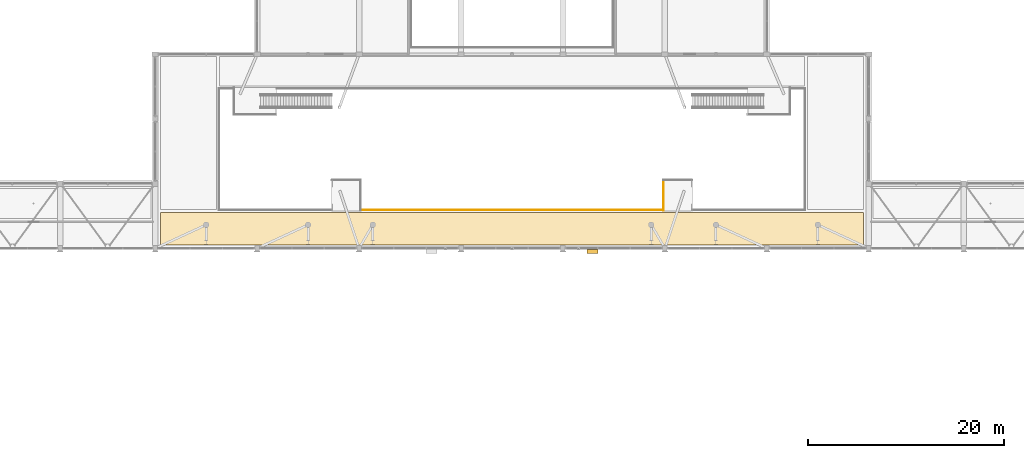
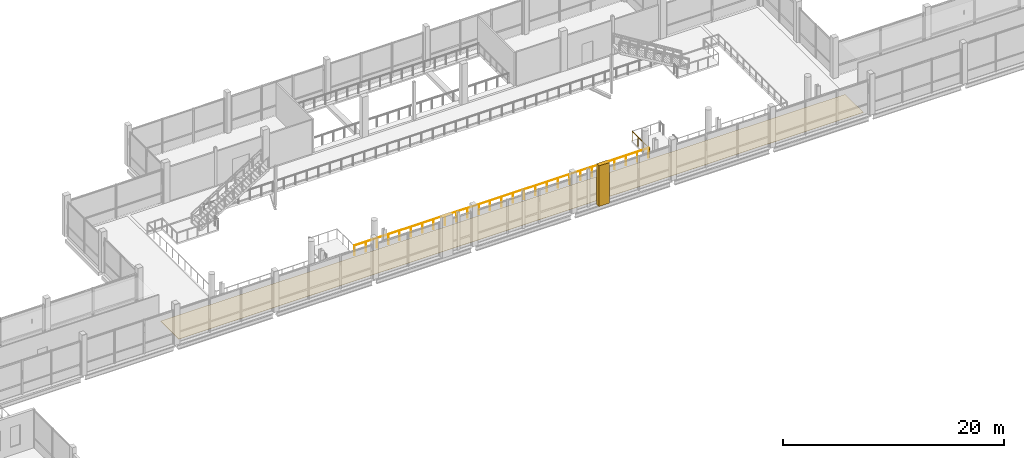
# One storey, part 89 of 95: 2 coverings, 2 railings.
"""IFC4 building model written with IfcOpenShell, lengths in metres."""

from ifc_helpers import new_model, si_unit, derived_unit, direction, frame, origin, origin_2d, place, context, subcontext, project, spatial, polyline, rectangle, circle, outline, extrude, material, layer, layer_set, type_object, element, save


model = new_model("IFC4")

# Units and contexts
model_context = context("Model", 3, precision=1e-05, world=origin(), true_north=direction((0.0, 1.0)))
body_context = subcontext(model_context, "Body", "Model", "MODEL_VIEW")
ifc_project = project(units=[si_unit("LENGTHUNIT", "METRE"), si_unit("AREAUNIT", "SQUARE_METRE"), si_unit("VOLUMEUNIT", "CUBIC_METRE"), si_unit("PLANEANGLEUNIT", "RADIAN"), si_unit("MASSUNIT", "GRAM", prefix="KILO"), derived_unit("THERMALTRANSMITTANCEUNIT", [(si_unit("POWERUNIT", "WATT"), 1), (si_unit("LENGTHUNIT", "METRE"), -2), (si_unit("THERMODYNAMICTEMPERATUREUNIT", "KELVIN"), -1)])], contexts=[model_context])

# Site, building, storey
site_placement = place(None, origin())
site = spatial("IfcSite", under=ifc_project, at=site_placement, CompositionType="ELEMENT")
building_placement = place(site_placement, origin())
building = spatial("IfcBuilding", under=site, at=building_placement, Name="Braskholm Square Health Centre", CompositionType="ELEMENT")
storey_placement = place(building_placement, frame((0.0, 0.0, 4.800048828125)))
storey = spatial("IfcBuildingStorey", under=building, at=storey_placement, Name="L02", CompositionType="ELEMENT", Elevation=4.800048828125)

# Railings
ifc_material_1 = material(Name="Dark patinated chevron architectural bronze", Category="aluminium")
railing_type = type_object("IfcRailingType", Name="BronzeChevronGuardrail1100", PredefinedType="GUARDRAIL", material=ifc_material_1)
railing_1_placement = place(storey_placement, frame((99.449951171875, 94.14990234375, 0.0)))
element("IfcRailing", 1, at=railing_1_placement, inside=storey, type_object=railing_type, Name="Atrium stair landing edge guard 03", PredefinedType="GUARDRAIL", context=body_context, shape_type="SweptSolid", body=[
    extrude(circle(Radius=0.02392578125, at=origin_2d()), frame((0.0, 0.0, 1.076171875), z_axis=(0.0, -1.0, 0.0), x_axis=(1.0, 0.0, 0.0)), (0.0, 0.0, 1.0), 3.099853515625),
    extrude(circle(Radius=0.02099609375, at=origin_2d()), origin(), (0.0, 0.0, 1.0), 1.052001953125),
    extrude(circle(Radius=0.02099609375, at=origin_2d()), frame((0.0, -1.033203125, 0.0)), (0.0, 0.0, 1.0), 1.052001953125),
    extrude(circle(Radius=0.02099609375, at=origin_2d()), frame((0.0, -2.066650390625, 0.0)), (0.0, 0.0, 1.0), 1.052001953125),
    extrude(circle(Radius=0.02099609375, at=origin_2d()), frame((0.0, -3.099853515625, 0.0)), (0.0, 0.0, 1.0), 1.052001953125),
])
railing_2_placement = place(storey_placement, frame((68.60009765625, 91.10009765625, 0.0)))
element("IfcRailing", 2, at=railing_2_placement, inside=storey, type_object=railing_type, Name="Bronze chevron guardrail 0054 L02", PredefinedType="GUARDRAIL", context=body_context, shape_type="SweptSolid", body=[
    extrude(circle(Radius=0.02392578125, at=origin_2d()), frame((0.0, 0.0, 1.076171875), z_axis=(1.0, 0.0, 0.0), x_axis=(0.0, 1.0, 0.0)), (0.0, 0.0, 1.0), 30.7998046875),
    extrude(circle(Radius=0.02099609375, at=origin_2d()), origin(), (0.0, 0.0, 1.0), 1.052001953125),
    extrude(circle(Radius=0.02099609375, at=origin_2d()), frame((1.1845703125, 0.0, 0.0)), (0.0, 0.0, 1.0), 1.052001953125),
    extrude(circle(Radius=0.02099609375, at=origin_2d()), frame((2.369140625, 0.0, 0.0)), (0.0, 0.0, 1.0), 1.052001953125),
    extrude(circle(Radius=0.02099609375, at=origin_2d()), frame((3.5537109375, 0.0, 0.0)), (0.0, 0.0, 1.0), 1.052001953125),
    extrude(circle(Radius=0.02099609375, at=origin_2d()), frame((4.738525390625, 0.0, 0.0)), (0.0, 0.0, 1.0), 1.052001953125),
    extrude(circle(Radius=0.02099609375, at=origin_2d()), frame((5.923095703125, 0.0, 0.0)), (0.0, 0.0, 1.0), 1.052001953125),
    extrude(circle(Radius=0.02099609375, at=origin_2d()), frame((7.107666015625, 0.0, 0.0)), (0.0, 0.0, 1.0), 1.052001953125),
    extrude(circle(Radius=0.02099609375, at=origin_2d()), frame((8.292236328125, 0.0, 0.0)), (0.0, 0.0, 1.0), 1.052001953125),
    extrude(circle(Radius=0.02099609375, at=origin_2d()), frame((9.476806640625, 0.0, 0.0)), (0.0, 0.0, 1.0), 1.052001953125),
    extrude(circle(Radius=0.02099609375, at=origin_2d()), frame((10.661376953125, 0.0, 0.0)), (0.0, 0.0, 1.0), 1.052001953125),
    extrude(circle(Radius=0.02099609375, at=origin_2d()), frame((11.84619140625, 0.0, 0.0)), (0.0, 0.0, 1.0), 1.052001953125),
    extrude(circle(Radius=0.02099609375, at=origin_2d()), frame((13.03076171875, 0.0, 0.0)), (0.0, 0.0, 1.0), 1.052001953125),
    extrude(circle(Radius=0.02099609375, at=origin_2d()), frame((14.21533203125, 0.0, 0.0)), (0.0, 0.0, 1.0), 1.052001953125),
    extrude(circle(Radius=0.02099609375, at=origin_2d()), frame((15.39990234375, 0.0, 0.0)), (0.0, 0.0, 1.0), 1.052001953125),
    extrude(circle(Radius=0.02099609375, at=origin_2d()), frame((16.58447265625, 0.0, 0.0)), (0.0, 0.0, 1.0), 1.052001953125),
    extrude(circle(Radius=0.02099609375, at=origin_2d()), frame((17.76904296875, 0.0, 0.0)), (0.0, 0.0, 1.0), 1.052001953125),
    extrude(circle(Radius=0.02099609375, at=origin_2d()), frame((18.95361328125, 0.0, 0.0)), (0.0, 0.0, 1.0), 1.052001953125),
    extrude(circle(Radius=0.02099609375, at=origin_2d()), frame((20.138427734375, 0.0, 0.0)), (0.0, 0.0, 1.0), 1.052001953125),
    extrude(circle(Radius=0.02099609375, at=origin_2d()), frame((21.322998046875, 0.0, 0.0)), (0.0, 0.0, 1.0), 1.052001953125),
    extrude(circle(Radius=0.02099609375, at=origin_2d()), frame((22.507568359375, 0.0, 0.0)), (0.0, 0.0, 1.0), 1.052001953125),
    extrude(circle(Radius=0.02099609375, at=origin_2d()), frame((23.692138671875, 0.0, 0.0)), (0.0, 0.0, 1.0), 1.052001953125),
    extrude(circle(Radius=0.02099609375, at=origin_2d()), frame((24.876708984375, 0.0, 0.0)), (0.0, 0.0, 1.0), 1.052001953125),
    extrude(circle(Radius=0.02099609375, at=origin_2d()), frame((26.061279296875, 0.0, 0.0)), (0.0, 0.0, 1.0), 1.052001953125),
    extrude(circle(Radius=0.02099609375, at=origin_2d()), frame((27.24609375, 0.0, 0.0)), (0.0, 0.0, 1.0), 1.052001953125),
    extrude(circle(Radius=0.02099609375, at=origin_2d()), frame((28.4306640625, 0.0, 0.0)), (0.0, 0.0, 1.0), 1.052001953125),
    extrude(circle(Radius=0.02099609375, at=origin_2d()), frame((29.615234375, 0.0, 0.0)), (0.0, 0.0, 1.0), 1.052001953125),
    extrude(circle(Radius=0.02099609375, at=origin_2d()), frame((30.7998046875, 0.0, 0.0)), (0.0, 0.0, 1.0), 1.052001953125),
])

# Coverings
ifc_material_2 = material(Name="Mankato-Kasota dolomitic limestone ashlar", Category="masonry")
ifc_layer_1 = layer(ifc_material_2, 0.090087890625)
ifc_layer_set_1 = layer_set([ifc_layer_1], Name="Mankato-Kasota dolomitic limestone ashlar")
covering_type_1 = type_object("IfcCoveringType", Name="KasotaAshlarBaseCladding", PredefinedType="CLADDING", material=ifc_layer_set_1)
covering_1_placement = place(storey_placement, frame((92.199951171875, 86.8798828125, 0.0), z_axis=(0.0, 0.0, 1.0), x_axis=(1.0, 0.0, 0.0)))
element("IfcCovering", 3, at=covering_1_placement, inside=storey, type_object=covering_type_1, Name="Classical Art Deco architectural trim 0890", PredefinedType="CLADDING", context=body_context, shape_type="SweptSolid", body=[
    extrude(rectangle(XDim=1.10009765625, YDim=0.43994140625, at=origin_2d()), origin(), (0.0, 0.0, 1.0), 4.5),
])
ifc_material_3 = material(Name="Polished geometric terrazzo flooring", Category="masonry")
ifc_layer_2 = layer(ifc_material_3, 0.02001953125)
ifc_layer_set_2 = layer_set([ifc_layer_2], Name="Polished geometric terrazzo flooring")
covering_type_2 = type_object("IfcCoveringType", Name="PolishedTerrazzoFloorFinish", PredefinedType="FLOORING", material=ifc_layer_set_2)
covering_2_placement = place(storey_placement, origin())
element("IfcCovering", 4, at=covering_2_placement, inside=storey, type_object=covering_type_2, Name="Polished terrazzo floor L02-297", PredefinedType="FLOORING", context=body_context, shape_type="SweptSolid", body=[
    extrude(outline(polyline([(48.14990234375, 87.550048828125), (119.85009765625, 87.550048828125), (119.85009765625, 90.85009765625), (48.14990234375, 90.85009765625), (48.14990234375, 87.550048828125)])), origin(), (0.0, 0.0, 1.0), 0.02001953125),
])

save(model, "model.ifc")
